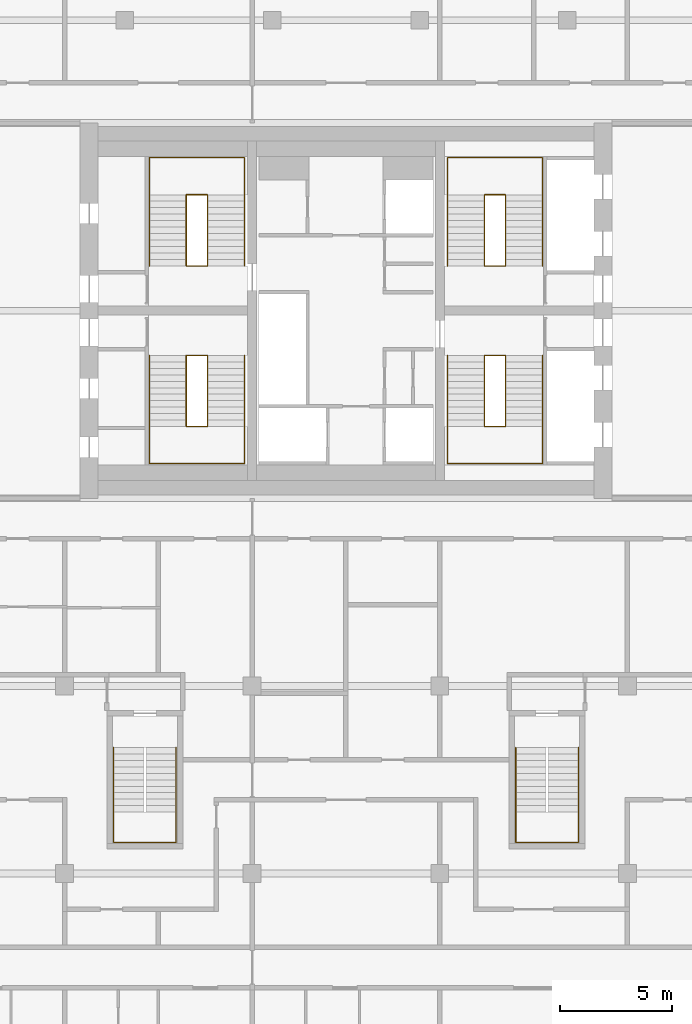
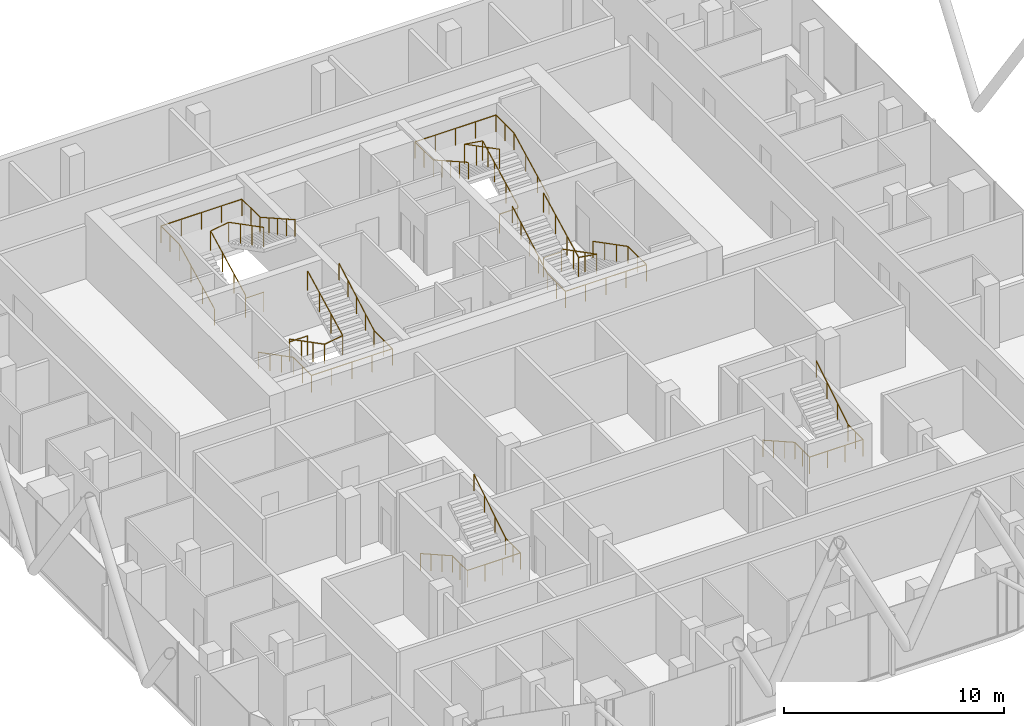
# One storey, part 28 of 28: 10 railings.
"""IFC4 building model written with IfcOpenShell, lengths in metres."""

from ifc_helpers import new_model, si_unit, direction, frame, origin, origin_2d, place, context, subcontext, project, spatial, circle, extrude, material, type_object, element, save


model = new_model("IFC4")

# Units and contexts
model_context = context("Model", 3, precision=1e-05, world=origin(), true_north=direction((0.0, 1.0)))
body_context = subcontext(model_context, "Body", "Model", "MODEL_VIEW")
ifc_project = project(units=[si_unit("LENGTHUNIT", "METRE"), si_unit("AREAUNIT", "SQUARE_METRE"), si_unit("VOLUMEUNIT", "CUBIC_METRE"), si_unit("PLANEANGLEUNIT", "RADIAN"), si_unit("MASSUNIT", "GRAM", prefix="KILO")], contexts=[model_context])

# Site, building, storey
site_placement = place(None, origin())
site = spatial("IfcSite", under=ifc_project, at=site_placement, CompositionType="ELEMENT")
building_placement = place(site_placement, origin())
building = spatial("IfcBuilding", under=site, at=building_placement, Name="Marenta Gate Hotel Tower", CompositionType="ELEMENT")
storey_placement = place(building_placement, frame((0.0, 0.0, 241.699951171875)))
storey = spatial("IfcBuildingStorey", under=building, at=storey_placement, Name="L57", CompositionType="ELEMENT", Elevation=241.699951171875)

# Railings
ifc_material_1 = material(Name="Stainless steel", Category="steel")
railing_type_1 = type_object("IfcRailingType", Name="Core stair handrail 950", PredefinedType="HANDRAIL", material=ifc_material_1)
railing_1_placement = place(storey_placement, frame((-8.800048828125, 6.39990234375, 0.150146484375)))
element("IfcRailing", 1, at=railing_1_placement, inside=storey, type_object=railing_type_1, Name="HR-950 L57-KR-ST1-1", PredefinedType="HANDRAIL", context=body_context, shape_type="SweptSolid", body=[
    extrude(circle(Radius=0.02392578125, at=origin_2d()), frame((0.0, 0.0, 0.92578125), z_axis=(0.0, -0.888225295554, 0.459408123936), x_axis=(1.0, 0.0, 0.0)), (0.0, 0.0, 1.0), 3.59130859375),
    extrude(circle(Radius=0.02392578125, at=origin_2d()), frame((0.0, -3.18994140625, 2.57568359375), z_axis=(0.0, -1.0, 0.0), x_axis=(1.0, 0.0, 0.0)), (0.0, 0.0, 1.0), 1.659912109375),
    extrude(circle(Radius=0.02392578125, at=origin_2d()), frame((0.0, -4.849853515625, 2.57568359375), z_axis=(1.0, 0.0, 0.0), x_axis=(0.0, 1.0, 0.0)), (0.0, 0.0, 1.0), 4.25),
    extrude(circle(Radius=0.02392578125, at=origin_2d()), frame((4.25, -4.849853515625, 2.57568359375), z_axis=(0.0, 1.0, 0.0), x_axis=(-1.0, 0.0, 0.0)), (0.0, 0.0, 1.0), 1.659912109375),
    extrude(circle(Radius=0.02392578125, at=origin_2d()), frame((4.25, -3.18994140625, 2.57568359375), z_axis=(0.0, 0.87090897868, 0.491444351738), x_axis=(-1.0, 0.0, 0.0)), (0.0, 0.0, 1.0), 3.662841796875),
    extrude(circle(Radius=0.02099609375, at=origin_2d()), origin(), (0.0, 0.0, 1.0), 0.90185546875),
    extrude(circle(Radius=0.02099609375, at=origin_2d()), frame((0.0, -1.063232421875, 0.550048828125)), (0.0, 0.0, 1.0), 0.90185546875),
    extrude(circle(Radius=0.02099609375, at=origin_2d()), frame((0.0, -2.126708984375, 1.099853515625)), (0.0, 0.0, 1.0), 0.90185546875),
    extrude(circle(Radius=0.02099609375, at=origin_2d()), frame((0.0, -3.18994140625, 1.64990234375)), (0.0, 0.0, 1.0), 0.90185546875),
    extrude(circle(Radius=0.02099609375, at=origin_2d()), frame((0.0, -4.02001953125, 1.64990234375)), (0.0, 0.0, 1.0), 0.90185546875),
    extrude(circle(Radius=0.02099609375, at=origin_2d()), frame((0.0, -4.849853515625, 1.64990234375)), (0.0, 0.0, 1.0), 0.90185546875),
    extrude(circle(Radius=0.02099609375, at=origin_2d()), frame((1.0625, -4.849853515625, 1.64990234375)), (0.0, 0.0, 1.0), 0.90185546875),
    extrude(circle(Radius=0.02099609375, at=origin_2d()), frame((2.125, -4.849853515625, 1.64990234375)), (0.0, 0.0, 1.0), 0.90185546875),
    extrude(circle(Radius=0.02099609375, at=origin_2d()), frame((3.1875, -4.849853515625, 1.64990234375)), (0.0, 0.0, 1.0), 0.90185546875),
    extrude(circle(Radius=0.02099609375, at=origin_2d()), frame((4.25, -4.849853515625, 1.64990234375)), (0.0, 0.0, 1.0), 0.90185546875),
    extrude(circle(Radius=0.02099609375, at=origin_2d()), frame((4.25, -4.02001953125, 1.64990234375)), (0.0, 0.0, 1.0), 0.90185546875),
    extrude(circle(Radius=0.02099609375, at=origin_2d()), frame((4.25, -3.18994140625, 1.64990234375)), (0.0, 0.0, 1.0), 0.90185546875),
    extrude(circle(Radius=0.02099609375, at=origin_2d()), frame((4.25, -2.392578125, 2.099853515625)), (0.0, 0.0, 1.0), 0.90185546875),
    extrude(circle(Radius=0.02099609375, at=origin_2d()), frame((4.25, -1.594970703125, 2.5498046875)), (0.0, 0.0, 1.0), 0.90185546875),
    extrude(circle(Radius=0.02099609375, at=origin_2d()), frame((4.25, -0.79736328125, 3.0)), (0.0, 0.0, 1.0), 0.90185546875),
    extrude(circle(Radius=0.02099609375, at=origin_2d()), frame((4.25, 0.0, 3.449951171875)), (0.0, 0.0, 1.0), 0.90185546875),
])
railing_2_placement = place(storey_placement, frame((-8.800048828125, 10.39990234375, 0.150146484375)))
element("IfcRailing", 2, at=railing_2_placement, inside=storey, type_object=railing_type_1, Name="HR-950 L57-KR-ST2-1", PredefinedType="HANDRAIL", context=body_context, shape_type="SweptSolid", body=[
    extrude(circle(Radius=0.02392578125, at=origin_2d()), frame((0.0, 0.0, 0.92578125), z_axis=(0.0, 0.888239641807, 0.459380385653), x_axis=(-1.0, 0.0, 0.0)), (0.0, 0.0, 1.0), 3.591552734375),
    extrude(circle(Radius=0.02392578125, at=origin_2d()), frame((0.0, 3.190185546875, 2.57568359375), z_axis=(0.0, 1.0, 0.0), x_axis=(-1.0, 0.0, 0.0)), (0.0, 0.0, 1.0), 1.659912109375),
    extrude(circle(Radius=0.02392578125, at=origin_2d()), frame((0.0, 4.85009765625, 2.57568359375), z_axis=(1.0, 0.0, 0.0), x_axis=(0.0, 1.0, 0.0)), (0.0, 0.0, 1.0), 4.25),
    extrude(circle(Radius=0.02392578125, at=origin_2d()), frame((4.25, 4.85009765625, 2.57568359375), z_axis=(0.0, -1.0, 0.0), x_axis=(1.0, 0.0, 0.0)), (0.0, 0.0, 1.0), 1.659912109375),
    extrude(circle(Radius=0.02392578125, at=origin_2d()), frame((4.25, 3.190185546875, 2.57568359375), z_axis=(0.0, -0.870925075533, 0.491415824742), x_axis=(1.0, 0.0, 0.0)), (0.0, 0.0, 1.0), 3.6630859375),
    extrude(circle(Radius=0.02099609375, at=origin_2d()), origin(), (0.0, 0.0, 1.0), 0.90185546875),
    extrude(circle(Radius=0.02099609375, at=origin_2d()), frame((0.0, 1.0634765625, 0.550048828125)), (0.0, 0.0, 1.0), 0.90185546875),
    extrude(circle(Radius=0.02099609375, at=origin_2d()), frame((0.0, 2.126708984375, 1.099853515625)), (0.0, 0.0, 1.0), 0.90185546875),
    extrude(circle(Radius=0.02099609375, at=origin_2d()), frame((0.0, 3.190185546875, 1.64990234375)), (0.0, 0.0, 1.0), 0.90185546875),
    extrude(circle(Radius=0.02099609375, at=origin_2d()), frame((0.0, 4.02001953125, 1.64990234375)), (0.0, 0.0, 1.0), 0.90185546875),
    extrude(circle(Radius=0.02099609375, at=origin_2d()), frame((0.0, 4.85009765625, 1.64990234375)), (0.0, 0.0, 1.0), 0.90185546875),
    extrude(circle(Radius=0.02099609375, at=origin_2d()), frame((1.0625, 4.85009765625, 1.64990234375)), (0.0, 0.0, 1.0), 0.90185546875),
    extrude(circle(Radius=0.02099609375, at=origin_2d()), frame((2.125, 4.85009765625, 1.64990234375)), (0.0, 0.0, 1.0), 0.90185546875),
    extrude(circle(Radius=0.02099609375, at=origin_2d()), frame((3.1875, 4.85009765625, 1.64990234375)), (0.0, 0.0, 1.0), 0.90185546875),
    extrude(circle(Radius=0.02099609375, at=origin_2d()), frame((4.25, 4.85009765625, 1.64990234375)), (0.0, 0.0, 1.0), 0.90185546875),
    extrude(circle(Radius=0.02099609375, at=origin_2d()), frame((4.25, 4.02001953125, 1.64990234375)), (0.0, 0.0, 1.0), 0.90185546875),
    extrude(circle(Radius=0.02099609375, at=origin_2d()), frame((4.25, 3.190185546875, 1.64990234375)), (0.0, 0.0, 1.0), 0.90185546875),
    extrude(circle(Radius=0.02099609375, at=origin_2d()), frame((4.25, 2.392578125, 2.099853515625)), (0.0, 0.0, 1.0), 0.90185546875),
    extrude(circle(Radius=0.02099609375, at=origin_2d()), frame((4.25, 1.59521484375, 2.5498046875)), (0.0, 0.0, 1.0), 0.90185546875),
    extrude(circle(Radius=0.02099609375, at=origin_2d()), frame((4.25, 0.797607421875, 3.0)), (0.0, 0.0, 1.0), 0.90185546875),
    extrude(circle(Radius=0.02099609375, at=origin_2d()), frame((4.25, 0.0, 3.449951171875)), (0.0, 0.0, 1.0), 0.90185546875),
])
railing_3_placement = place(storey_placement, frame((8.800048828125, 6.39990234375, 0.150146484375)))
element("IfcRailing", 3, at=railing_3_placement, inside=storey, type_object=railing_type_1, Name="HR-950 L57-KR-ST3-1", PredefinedType="HANDRAIL", context=body_context, shape_type="SweptSolid", body=[
    extrude(circle(Radius=0.02392578125, at=origin_2d()), frame((0.0, 0.0, 0.92578125), z_axis=(0.0, -0.888225295554, 0.459408123936), x_axis=(1.0, 0.0, 0.0)), (0.0, 0.0, 1.0), 3.59130859375),
    extrude(circle(Radius=0.02392578125, at=origin_2d()), frame((0.0, -3.18994140625, 2.57568359375), z_axis=(0.0, -1.0, 0.0), x_axis=(1.0, 0.0, 0.0)), (0.0, 0.0, 1.0), 1.659912109375),
    extrude(circle(Radius=0.02392578125, at=origin_2d()), frame((0.0, -4.849853515625, 2.57568359375), z_axis=(-1.0, 0.0, 0.0), x_axis=(0.0, -1.0, 0.0)), (0.0, 0.0, 1.0), 4.25),
    extrude(circle(Radius=0.02392578125, at=origin_2d()), frame((-4.25, -4.849853515625, 2.57568359375), z_axis=(0.0, 1.0, 0.0), x_axis=(-1.0, 0.0, 0.0)), (0.0, 0.0, 1.0), 1.659912109375),
    extrude(circle(Radius=0.02392578125, at=origin_2d()), frame((-4.25, -3.18994140625, 2.57568359375), z_axis=(0.0, 0.87090897868, 0.491444351738), x_axis=(-1.0, 0.0, 0.0)), (0.0, 0.0, 1.0), 3.662841796875),
    extrude(circle(Radius=0.02099609375, at=origin_2d()), origin(), (0.0, 0.0, 1.0), 0.90185546875),
    extrude(circle(Radius=0.02099609375, at=origin_2d()), frame((0.0, -1.063232421875, 0.550048828125)), (0.0, 0.0, 1.0), 0.90185546875),
    extrude(circle(Radius=0.02099609375, at=origin_2d()), frame((0.0, -2.126708984375, 1.099853515625)), (0.0, 0.0, 1.0), 0.90185546875),
    extrude(circle(Radius=0.02099609375, at=origin_2d()), frame((0.0, -3.18994140625, 1.64990234375)), (0.0, 0.0, 1.0), 0.90185546875),
    extrude(circle(Radius=0.02099609375, at=origin_2d()), frame((0.0, -4.02001953125, 1.64990234375)), (0.0, 0.0, 1.0), 0.90185546875),
    extrude(circle(Radius=0.02099609375, at=origin_2d()), frame((0.0, -4.849853515625, 1.64990234375)), (0.0, 0.0, 1.0), 0.90185546875),
    extrude(circle(Radius=0.02099609375, at=origin_2d()), frame((-1.0625, -4.849853515625, 1.64990234375)), (0.0, 0.0, 1.0), 0.90185546875),
    extrude(circle(Radius=0.02099609375, at=origin_2d()), frame((-2.125, -4.849853515625, 1.64990234375)), (0.0, 0.0, 1.0), 0.90185546875),
    extrude(circle(Radius=0.02099609375, at=origin_2d()), frame((-3.1875, -4.849853515625, 1.64990234375)), (0.0, 0.0, 1.0), 0.90185546875),
    extrude(circle(Radius=0.02099609375, at=origin_2d()), frame((-4.25, -4.849853515625, 1.64990234375)), (0.0, 0.0, 1.0), 0.90185546875),
    extrude(circle(Radius=0.02099609375, at=origin_2d()), frame((-4.25, -4.02001953125, 1.64990234375)), (0.0, 0.0, 1.0), 0.90185546875),
    extrude(circle(Radius=0.02099609375, at=origin_2d()), frame((-4.25, -3.18994140625, 1.64990234375)), (0.0, 0.0, 1.0), 0.90185546875),
    extrude(circle(Radius=0.02099609375, at=origin_2d()), frame((-4.25, -2.392578125, 2.099853515625)), (0.0, 0.0, 1.0), 0.90185546875),
    extrude(circle(Radius=0.02099609375, at=origin_2d()), frame((-4.25, -1.594970703125, 2.5498046875)), (0.0, 0.0, 1.0), 0.90185546875),
    extrude(circle(Radius=0.02099609375, at=origin_2d()), frame((-4.25, -0.79736328125, 3.0)), (0.0, 0.0, 1.0), 0.90185546875),
    extrude(circle(Radius=0.02099609375, at=origin_2d()), frame((-4.25, 0.0, 3.449951171875)), (0.0, 0.0, 1.0), 0.90185546875),
])
railing_4_placement = place(storey_placement, frame((8.800048828125, 10.39990234375, 0.150146484375)))
element("IfcRailing", 4, at=railing_4_placement, inside=storey, type_object=railing_type_1, Name="HR-950 L57-KR-ST4-1", PredefinedType="HANDRAIL", context=body_context, shape_type="SweptSolid", body=[
    extrude(circle(Radius=0.02392578125, at=origin_2d()), frame((0.0, 0.0, 0.92578125), z_axis=(0.0, 0.888239641807, 0.459380385653), x_axis=(-1.0, 0.0, 0.0)), (0.0, 0.0, 1.0), 3.591552734375),
    extrude(circle(Radius=0.02392578125, at=origin_2d()), frame((0.0, 3.190185546875, 2.57568359375), z_axis=(0.0, 1.0, 0.0), x_axis=(-1.0, 0.0, 0.0)), (0.0, 0.0, 1.0), 1.659912109375),
    extrude(circle(Radius=0.02392578125, at=origin_2d()), frame((0.0, 4.85009765625, 2.57568359375), z_axis=(-1.0, 0.0, 0.0), x_axis=(0.0, -1.0, 0.0)), (0.0, 0.0, 1.0), 4.25),
    extrude(circle(Radius=0.02392578125, at=origin_2d()), frame((-4.25, 4.85009765625, 2.57568359375), z_axis=(0.0, -1.0, 0.0), x_axis=(1.0, 0.0, 0.0)), (0.0, 0.0, 1.0), 1.659912109375),
    extrude(circle(Radius=0.02392578125, at=origin_2d()), frame((-4.25, 3.190185546875, 2.57568359375), z_axis=(0.0, -0.870925075533, 0.491415824742), x_axis=(1.0, 0.0, 0.0)), (0.0, 0.0, 1.0), 3.6630859375),
    extrude(circle(Radius=0.02099609375, at=origin_2d()), origin(), (0.0, 0.0, 1.0), 0.90185546875),
    extrude(circle(Radius=0.02099609375, at=origin_2d()), frame((0.0, 1.0634765625, 0.550048828125)), (0.0, 0.0, 1.0), 0.90185546875),
    extrude(circle(Radius=0.02099609375, at=origin_2d()), frame((0.0, 2.126708984375, 1.099853515625)), (0.0, 0.0, 1.0), 0.90185546875),
    extrude(circle(Radius=0.02099609375, at=origin_2d()), frame((0.0, 3.190185546875, 1.64990234375)), (0.0, 0.0, 1.0), 0.90185546875),
    extrude(circle(Radius=0.02099609375, at=origin_2d()), frame((0.0, 4.02001953125, 1.64990234375)), (0.0, 0.0, 1.0), 0.90185546875),
    extrude(circle(Radius=0.02099609375, at=origin_2d()), frame((0.0, 4.85009765625, 1.64990234375)), (0.0, 0.0, 1.0), 0.90185546875),
    extrude(circle(Radius=0.02099609375, at=origin_2d()), frame((-1.0625, 4.85009765625, 1.64990234375)), (0.0, 0.0, 1.0), 0.90185546875),
    extrude(circle(Radius=0.02099609375, at=origin_2d()), frame((-2.125, 4.85009765625, 1.64990234375)), (0.0, 0.0, 1.0), 0.90185546875),
    extrude(circle(Radius=0.02099609375, at=origin_2d()), frame((-3.1875, 4.85009765625, 1.64990234375)), (0.0, 0.0, 1.0), 0.90185546875),
    extrude(circle(Radius=0.02099609375, at=origin_2d()), frame((-4.25, 4.85009765625, 1.64990234375)), (0.0, 0.0, 1.0), 0.90185546875),
    extrude(circle(Radius=0.02099609375, at=origin_2d()), frame((-4.25, 4.02001953125, 1.64990234375)), (0.0, 0.0, 1.0), 0.90185546875),
    extrude(circle(Radius=0.02099609375, at=origin_2d()), frame((-4.25, 3.190185546875, 1.64990234375)), (0.0, 0.0, 1.0), 0.90185546875),
    extrude(circle(Radius=0.02099609375, at=origin_2d()), frame((-4.25, 2.392578125, 2.099853515625)), (0.0, 0.0, 1.0), 0.90185546875),
    extrude(circle(Radius=0.02099609375, at=origin_2d()), frame((-4.25, 1.59521484375, 2.5498046875)), (0.0, 0.0, 1.0), 0.90185546875),
    extrude(circle(Radius=0.02099609375, at=origin_2d()), frame((-4.25, 0.797607421875, 3.0)), (0.0, 0.0, 1.0), 0.90185546875),
    extrude(circle(Radius=0.02099609375, at=origin_2d()), frame((-4.25, 0.0, 3.449951171875)), (0.0, 0.0, 1.0), 0.90185546875),
])
railing_5_placement = place(storey_placement, frame((-10.39990234375, -11.14990234375, 0.16357421875)))
element("IfcRailing", 5, at=railing_5_placement, inside=storey, type_object=railing_type_1, Name="HR-950 L57-RS-Z3-1-KR-1", PredefinedType="HANDRAIL", context=body_context, shape_type="SweptSolid", body=[
    extrude(circle(Radius=0.02392578125, at=origin_2d()), frame((0.0, 0.0, 0.92578125), z_axis=(0.0, -0.870914908162, 0.491433843708), x_axis=(1.0, 0.0, 0.0)), (0.0, 0.0, 1.0), 3.330078125),
    extrude(circle(Radius=0.02392578125, at=origin_2d()), frame((0.0, -2.900146484375, 2.5625), z_axis=(0.0, -1.0, 0.0), x_axis=(1.0, 0.0, 0.0)), (0.0, 0.0, 1.0), 1.349853515625),
    extrude(circle(Radius=0.02392578125, at=origin_2d()), frame((0.0, -4.25, 2.5625), z_axis=(1.0, 0.0, 0.0), x_axis=(0.0, 1.0, 0.0)), (0.0, 0.0, 1.0), 2.7998046875),
    extrude(circle(Radius=0.02392578125, at=origin_2d()), frame((2.7998046875, -4.25, 2.5625), z_axis=(0.0, 1.0, 0.0), x_axis=(-1.0, 0.0, 0.0)), (0.0, 0.0, 1.0), 1.349853515625),
    extrude(circle(Radius=0.02392578125, at=origin_2d()), frame((2.7998046875, -2.900146484375, 2.5625), z_axis=(0.0, 0.849645691689, 0.527353959494), x_axis=(-1.0, 0.0, 0.0)), (0.0, 0.0, 1.0), 3.413330078125),
    extrude(circle(Radius=0.02099609375, at=origin_2d()), origin(), (0.0, 0.0, 1.0), 0.90185546875),
    extrude(circle(Radius=0.02099609375, at=origin_2d()), frame((0.0, -0.966796875, 0.54541015625)), (0.0, 0.0, 1.0), 0.90185546875),
    extrude(circle(Radius=0.02099609375, at=origin_2d()), frame((0.0, -1.933349609375, 1.091064453125)), (0.0, 0.0, 1.0), 0.90185546875),
    extrude(circle(Radius=0.02099609375, at=origin_2d()), frame((0.0, -2.900146484375, 1.636474609375)), (0.0, 0.0, 1.0), 0.90185546875),
    extrude(circle(Radius=0.02099609375, at=origin_2d()), frame((0.0, -3.5751953125, 1.636474609375)), (0.0, 0.0, 1.0), 0.90185546875),
    extrude(circle(Radius=0.02099609375, at=origin_2d()), frame((0.0, -4.25, 1.636474609375)), (0.0, 0.0, 1.0), 0.90185546875),
    extrude(circle(Radius=0.02099609375, at=origin_2d()), frame((0.933349609375, -4.25, 1.636474609375)), (0.0, 0.0, 1.0), 0.90185546875),
    extrude(circle(Radius=0.02099609375, at=origin_2d()), frame((1.866455078125, -4.25, 1.636474609375)), (0.0, 0.0, 1.0), 0.90185546875),
    extrude(circle(Radius=0.02099609375, at=origin_2d()), frame((2.7998046875, -4.25, 1.636474609375)), (0.0, 0.0, 1.0), 0.90185546875),
    extrude(circle(Radius=0.02099609375, at=origin_2d()), frame((2.7998046875, -3.5751953125, 1.636474609375)), (0.0, 0.0, 1.0), 0.90185546875),
    extrude(circle(Radius=0.02099609375, at=origin_2d()), frame((2.7998046875, -2.900146484375, 1.636474609375)), (0.0, 0.0, 1.0), 0.90185546875),
    extrude(circle(Radius=0.02099609375, at=origin_2d()), frame((2.7998046875, -1.933349609375, 2.236572265625)), (0.0, 0.0, 1.0), 0.90185546875),
    extrude(circle(Radius=0.02099609375, at=origin_2d()), frame((2.7998046875, -0.966796875, 2.83642578125)), (0.0, 0.0, 1.0), 0.90185546875),
    extrude(circle(Radius=0.02099609375, at=origin_2d()), frame((2.7998046875, 0.0, 3.4365234375)), (0.0, 0.0, 1.0), 0.90185546875),
])
railing_6_placement = place(storey_placement, frame((7.60009765625, -11.14990234375, 0.16357421875)))
element("IfcRailing", 6, at=railing_6_placement, inside=storey, type_object=railing_type_1, Name="HR-950 L57-RS-Z3-2-KR-1", PredefinedType="HANDRAIL", context=body_context, shape_type="SweptSolid", body=[
    extrude(circle(Radius=0.02392578125, at=origin_2d()), frame((0.0, 0.0, 0.92578125), z_axis=(0.0, -0.870914908162, 0.491433843708), x_axis=(1.0, 0.0, 0.0)), (0.0, 0.0, 1.0), 3.330078125),
    extrude(circle(Radius=0.02392578125, at=origin_2d()), frame((0.0, -2.900146484375, 2.5625), z_axis=(0.0, -1.0, 0.0), x_axis=(1.0, 0.0, 0.0)), (0.0, 0.0, 1.0), 1.349853515625),
    extrude(circle(Radius=0.02392578125, at=origin_2d()), frame((0.0, -4.25, 2.5625), z_axis=(1.0, 0.0, 0.0), x_axis=(0.0, 1.0, 0.0)), (0.0, 0.0, 1.0), 2.7998046875),
    extrude(circle(Radius=0.02392578125, at=origin_2d()), frame((2.7998046875, -4.25, 2.5625), z_axis=(0.0, 1.0, 0.0), x_axis=(-1.0, 0.0, 0.0)), (0.0, 0.0, 1.0), 1.349853515625),
    extrude(circle(Radius=0.02392578125, at=origin_2d()), frame((2.7998046875, -2.900146484375, 2.5625), z_axis=(0.0, 0.849645691689, 0.527353959494), x_axis=(-1.0, 0.0, 0.0)), (0.0, 0.0, 1.0), 3.413330078125),
    extrude(circle(Radius=0.02099609375, at=origin_2d()), origin(), (0.0, 0.0, 1.0), 0.90185546875),
    extrude(circle(Radius=0.02099609375, at=origin_2d()), frame((0.0, -0.966796875, 0.54541015625)), (0.0, 0.0, 1.0), 0.90185546875),
    extrude(circle(Radius=0.02099609375, at=origin_2d()), frame((0.0, -1.933349609375, 1.091064453125)), (0.0, 0.0, 1.0), 0.90185546875),
    extrude(circle(Radius=0.02099609375, at=origin_2d()), frame((0.0, -2.900146484375, 1.636474609375)), (0.0, 0.0, 1.0), 0.90185546875),
    extrude(circle(Radius=0.02099609375, at=origin_2d()), frame((0.0, -3.5751953125, 1.636474609375)), (0.0, 0.0, 1.0), 0.90185546875),
    extrude(circle(Radius=0.02099609375, at=origin_2d()), frame((0.0, -4.25, 1.636474609375)), (0.0, 0.0, 1.0), 0.90185546875),
    extrude(circle(Radius=0.02099609375, at=origin_2d()), frame((0.933349609375, -4.25, 1.636474609375)), (0.0, 0.0, 1.0), 0.90185546875),
    extrude(circle(Radius=0.02099609375, at=origin_2d()), frame((1.866455078125, -4.25, 1.636474609375)), (0.0, 0.0, 1.0), 0.90185546875),
    extrude(circle(Radius=0.02099609375, at=origin_2d()), frame((2.7998046875, -4.25, 1.636474609375)), (0.0, 0.0, 1.0), 0.90185546875),
    extrude(circle(Radius=0.02099609375, at=origin_2d()), frame((2.7998046875, -3.5751953125, 1.636474609375)), (0.0, 0.0, 1.0), 0.90185546875),
    extrude(circle(Radius=0.02099609375, at=origin_2d()), frame((2.7998046875, -2.900146484375, 1.636474609375)), (0.0, 0.0, 1.0), 0.90185546875),
    extrude(circle(Radius=0.02099609375, at=origin_2d()), frame((2.7998046875, -1.933349609375, 2.236572265625)), (0.0, 0.0, 1.0), 0.90185546875),
    extrude(circle(Radius=0.02099609375, at=origin_2d()), frame((2.7998046875, -0.966796875, 2.83642578125)), (0.0, 0.0, 1.0), 0.90185546875),
    extrude(circle(Radius=0.02099609375, at=origin_2d()), frame((2.7998046875, 0.0, 3.4365234375)), (0.0, 0.0, 1.0), 0.90185546875),
])
ifc_material_2 = material(Name="Stainless steel", Category="steel")
railing_type_2 = type_object("IfcRailingType", Name="Core stair well guard 1100", PredefinedType="GUARDRAIL", material=ifc_material_2)
railing_7_placement = place(storey_placement, frame((-6.199951171875, 6.39990234375, 0.0)))
element("IfcRailing", 7, at=railing_7_placement, inside=storey, type_object=railing_type_2, Name="GR-1100 L57-KR-ST1-2", PredefinedType="GUARDRAIL", context=body_context, shape_type="SweptSolid", body=[
    extrude(circle(Radius=0.02392578125, at=origin_2d()), frame((0.0, 0.0, 1.076171875), z_axis=(-1.0, 0.0, 0.0), x_axis=(0.0, -1.0, 0.0)), (0.0, 0.0, 1.0), 0.949951171875),
    extrude(circle(Radius=0.02392578125, at=origin_2d()), frame((-0.949951171875, 0.0, 1.076171875), z_axis=(0.0, 0.0, 1.0), x_axis=(1.0, 0.0, 0.0)), (0.0, 0.0, 1.0), 0.150146484375),
    extrude(circle(Radius=0.02392578125, at=origin_2d()), frame((-0.949951171875, 0.0, 1.22607421875), z_axis=(0.0, -0.888225295554, 0.459408123936), x_axis=(1.0, 0.0, 0.0)), (0.0, 0.0, 1.0), 3.59130859375),
    extrude(circle(Radius=0.02392578125, at=origin_2d()), frame((-0.949951171875, -3.18994140625, 2.8759765625), z_axis=(0.987777369502, 0.0, 0.15587131968), x_axis=(0.0, 1.0, 0.0)), (0.0, 0.0, 1.0), 0.961669921875),
    extrude(circle(Radius=0.02392578125, at=origin_2d()), frame((0.0, -3.18994140625, 3.02587890625), z_axis=(0.0, 0.888197555067, 0.459461753765), x_axis=(-1.0, 0.0, 0.0)), (0.0, 0.0, 1.0), 3.591552734375),
    extrude(circle(Radius=0.02099609375, at=origin_2d()), origin(), (0.0, 0.0, 1.0), 1.052001953125),
    extrude(circle(Radius=0.02099609375, at=origin_2d()), frame((-0.949951171875, 0.0, 0.0)), (0.0, 0.0, 1.0), 1.052001953125),
    extrude(circle(Radius=0.02099609375, at=origin_2d()), frame((-0.949951171875, 0.0, 0.150146484375)), (0.0, 0.0, 1.0), 1.052001953125),
    extrude(circle(Radius=0.02099609375, at=origin_2d()), frame((-0.949951171875, -1.063232421875, 0.7001953125)), (0.0, 0.0, 1.0), 1.052001953125),
    extrude(circle(Radius=0.02099609375, at=origin_2d()), frame((-0.949951171875, -2.126708984375, 1.25)), (0.0, 0.0, 1.0), 1.052001953125),
    extrude(circle(Radius=0.02099609375, at=origin_2d()), frame((-0.949951171875, -3.18994140625, 1.800048828125)), (0.0, 0.0, 1.0), 1.052001953125),
    extrude(circle(Radius=0.02099609375, at=origin_2d()), frame((0.0, -3.18994140625, 1.949951171875)), (0.0, 0.0, 1.0), 1.052001953125),
    extrude(circle(Radius=0.02099609375, at=origin_2d()), frame((0.0, -2.126708984375, 2.5)), (0.0, 0.0, 1.0), 1.052001953125),
    extrude(circle(Radius=0.02099609375, at=origin_2d()), frame((0.0, -1.063232421875, 3.050048828125)), (0.0, 0.0, 1.0), 1.052001953125),
    extrude(circle(Radius=0.02099609375, at=origin_2d()), frame((0.0, 0.0, 3.60009765625)), (0.0, 0.0, 1.0), 1.052001953125),
])
railing_8_placement = place(storey_placement, frame((-6.199951171875, 10.39990234375, 0.0)))
element("IfcRailing", 8, at=railing_8_placement, inside=storey, type_object=railing_type_2, Name="GR-1100 L57-KR-ST2-2", PredefinedType="GUARDRAIL", context=body_context, shape_type="SweptSolid", body=[
    extrude(circle(Radius=0.02392578125, at=origin_2d()), frame((0.0, 0.0, 1.076171875), z_axis=(-1.0, 0.0, 0.0), x_axis=(0.0, -1.0, 0.0)), (0.0, 0.0, 1.0), 0.949951171875),
    extrude(circle(Radius=0.02392578125, at=origin_2d()), frame((-0.949951171875, 0.0, 1.076171875), z_axis=(0.0, 0.0, 1.0), x_axis=(1.0, 0.0, 0.0)), (0.0, 0.0, 1.0), 0.150146484375),
    extrude(circle(Radius=0.02392578125, at=origin_2d()), frame((-0.949951171875, 0.0, 1.22607421875), z_axis=(0.0, 0.888239641807, 0.459380385653), x_axis=(-1.0, 0.0, 0.0)), (0.0, 0.0, 1.0), 3.591552734375),
    extrude(circle(Radius=0.02392578125, at=origin_2d()), frame((-0.949951171875, 3.190185546875, 2.8759765625), z_axis=(0.987777369502, 0.0, 0.15587131968), x_axis=(0.0, 1.0, 0.0)), (0.0, 0.0, 1.0), 0.961669921875),
    extrude(circle(Radius=0.02392578125, at=origin_2d()), frame((0.0, 3.190185546875, 3.02587890625), z_axis=(0.0, -0.888211904222, 0.459434013977), x_axis=(1.0, 0.0, 0.0)), (0.0, 0.0, 1.0), 3.591796875),
    extrude(circle(Radius=0.02099609375, at=origin_2d()), origin(), (0.0, 0.0, 1.0), 1.052001953125),
    extrude(circle(Radius=0.02099609375, at=origin_2d()), frame((-0.949951171875, 0.0, 0.0)), (0.0, 0.0, 1.0), 1.052001953125),
    extrude(circle(Radius=0.02099609375, at=origin_2d()), frame((-0.949951171875, 0.0, 0.150146484375)), (0.0, 0.0, 1.0), 1.052001953125),
    extrude(circle(Radius=0.02099609375, at=origin_2d()), frame((-0.949951171875, 1.0634765625, 0.7001953125)), (0.0, 0.0, 1.0), 1.052001953125),
    extrude(circle(Radius=0.02099609375, at=origin_2d()), frame((-0.949951171875, 2.126708984375, 1.25)), (0.0, 0.0, 1.0), 1.052001953125),
    extrude(circle(Radius=0.02099609375, at=origin_2d()), frame((-0.949951171875, 3.190185546875, 1.800048828125)), (0.0, 0.0, 1.0), 1.052001953125),
    extrude(circle(Radius=0.02099609375, at=origin_2d()), frame((0.0, 3.190185546875, 1.949951171875)), (0.0, 0.0, 1.0), 1.052001953125),
    extrude(circle(Radius=0.02099609375, at=origin_2d()), frame((0.0, 2.126708984375, 2.5)), (0.0, 0.0, 1.0), 1.052001953125),
    extrude(circle(Radius=0.02099609375, at=origin_2d()), frame((0.0, 1.0634765625, 3.050048828125)), (0.0, 0.0, 1.0), 1.052001953125),
    extrude(circle(Radius=0.02099609375, at=origin_2d()), frame((0.0, 0.0, 3.60009765625)), (0.0, 0.0, 1.0), 1.052001953125),
])
railing_9_placement = place(storey_placement, frame((6.199951171875, 6.39990234375, 0.0)))
element("IfcRailing", 9, at=railing_9_placement, inside=storey, type_object=railing_type_2, Name="GR-1100 L57-KR-ST3-2", PredefinedType="GUARDRAIL", context=body_context, shape_type="SweptSolid", body=[
    extrude(circle(Radius=0.02392578125, at=origin_2d()), frame((0.0, 0.0, 1.076171875), z_axis=(1.0, 0.0, 0.0), x_axis=(0.0, 1.0, 0.0)), (0.0, 0.0, 1.0), 0.949951171875),
    extrude(circle(Radius=0.02392578125, at=origin_2d()), frame((0.949951171875, 0.0, 1.076171875), z_axis=(0.0, 0.0, 1.0), x_axis=(1.0, 0.0, 0.0)), (0.0, 0.0, 1.0), 0.150146484375),
    extrude(circle(Radius=0.02392578125, at=origin_2d()), frame((0.949951171875, 0.0, 1.22607421875), z_axis=(0.0, -0.888225295554, 0.459408123936), x_axis=(1.0, 0.0, 0.0)), (0.0, 0.0, 1.0), 3.59130859375),
    extrude(circle(Radius=0.02392578125, at=origin_2d()), frame((0.949951171875, -3.18994140625, 2.8759765625), z_axis=(-0.987777369502, 0.0, 0.15587131968), x_axis=(0.0, -1.0, 0.0)), (0.0, 0.0, 1.0), 0.961669921875),
    extrude(circle(Radius=0.02392578125, at=origin_2d()), frame((0.0, -3.18994140625, 3.02587890625), z_axis=(0.0, 0.888197555067, 0.459461753765), x_axis=(-1.0, 0.0, 0.0)), (0.0, 0.0, 1.0), 3.591552734375),
    extrude(circle(Radius=0.02099609375, at=origin_2d()), origin(), (0.0, 0.0, 1.0), 1.052001953125),
    extrude(circle(Radius=0.02099609375, at=origin_2d()), frame((0.949951171875, 0.0, 0.0)), (0.0, 0.0, 1.0), 1.052001953125),
    extrude(circle(Radius=0.02099609375, at=origin_2d()), frame((0.949951171875, 0.0, 0.150146484375)), (0.0, 0.0, 1.0), 1.052001953125),
    extrude(circle(Radius=0.02099609375, at=origin_2d()), frame((0.949951171875, -1.063232421875, 0.7001953125)), (0.0, 0.0, 1.0), 1.052001953125),
    extrude(circle(Radius=0.02099609375, at=origin_2d()), frame((0.949951171875, -2.126708984375, 1.25)), (0.0, 0.0, 1.0), 1.052001953125),
    extrude(circle(Radius=0.02099609375, at=origin_2d()), frame((0.949951171875, -3.18994140625, 1.800048828125)), (0.0, 0.0, 1.0), 1.052001953125),
    extrude(circle(Radius=0.02099609375, at=origin_2d()), frame((0.0, -3.18994140625, 1.949951171875)), (0.0, 0.0, 1.0), 1.052001953125),
    extrude(circle(Radius=0.02099609375, at=origin_2d()), frame((0.0, -2.126708984375, 2.5)), (0.0, 0.0, 1.0), 1.052001953125),
    extrude(circle(Radius=0.02099609375, at=origin_2d()), frame((0.0, -1.063232421875, 3.050048828125)), (0.0, 0.0, 1.0), 1.052001953125),
    extrude(circle(Radius=0.02099609375, at=origin_2d()), frame((0.0, 0.0, 3.60009765625)), (0.0, 0.0, 1.0), 1.052001953125),
])
railing_10_placement = place(storey_placement, frame((6.199951171875, 10.39990234375, 0.0)))
element("IfcRailing", 10, at=railing_10_placement, inside=storey, type_object=railing_type_2, Name="GR-1100 L57-KR-ST4-2", PredefinedType="GUARDRAIL", context=body_context, shape_type="SweptSolid", body=[
    extrude(circle(Radius=0.02392578125, at=origin_2d()), frame((0.0, 0.0, 1.076171875), z_axis=(1.0, 0.0, 0.0), x_axis=(0.0, 1.0, 0.0)), (0.0, 0.0, 1.0), 0.949951171875),
    extrude(circle(Radius=0.02392578125, at=origin_2d()), frame((0.949951171875, 0.0, 1.076171875), z_axis=(0.0, 0.0, 1.0), x_axis=(1.0, 0.0, 0.0)), (0.0, 0.0, 1.0), 0.150146484375),
    extrude(circle(Radius=0.02392578125, at=origin_2d()), frame((0.949951171875, 0.0, 1.22607421875), z_axis=(0.0, 0.888239641807, 0.459380385653), x_axis=(-1.0, 0.0, 0.0)), (0.0, 0.0, 1.0), 3.591552734375),
    extrude(circle(Radius=0.02392578125, at=origin_2d()), frame((0.949951171875, 3.190185546875, 2.8759765625), z_axis=(-0.987777369502, 0.0, 0.15587131968), x_axis=(0.0, -1.0, 0.0)), (0.0, 0.0, 1.0), 0.961669921875),
    extrude(circle(Radius=0.02392578125, at=origin_2d()), frame((0.0, 3.190185546875, 3.02587890625), z_axis=(0.0, -0.888211904222, 0.459434013977), x_axis=(1.0, 0.0, 0.0)), (0.0, 0.0, 1.0), 3.591796875),
    extrude(circle(Radius=0.02099609375, at=origin_2d()), origin(), (0.0, 0.0, 1.0), 1.052001953125),
    extrude(circle(Radius=0.02099609375, at=origin_2d()), frame((0.949951171875, 0.0, 0.0)), (0.0, 0.0, 1.0), 1.052001953125),
    extrude(circle(Radius=0.02099609375, at=origin_2d()), frame((0.949951171875, 0.0, 0.150146484375)), (0.0, 0.0, 1.0), 1.052001953125),
    extrude(circle(Radius=0.02099609375, at=origin_2d()), frame((0.949951171875, 1.0634765625, 0.7001953125)), (0.0, 0.0, 1.0), 1.052001953125),
    extrude(circle(Radius=0.02099609375, at=origin_2d()), frame((0.949951171875, 2.126708984375, 1.25)), (0.0, 0.0, 1.0), 1.052001953125),
    extrude(circle(Radius=0.02099609375, at=origin_2d()), frame((0.949951171875, 3.190185546875, 1.800048828125)), (0.0, 0.0, 1.0), 1.052001953125),
    extrude(circle(Radius=0.02099609375, at=origin_2d()), frame((0.0, 3.190185546875, 1.949951171875)), (0.0, 0.0, 1.0), 1.052001953125),
    extrude(circle(Radius=0.02099609375, at=origin_2d()), frame((0.0, 2.126708984375, 2.5)), (0.0, 0.0, 1.0), 1.052001953125),
    extrude(circle(Radius=0.02099609375, at=origin_2d()), frame((0.0, 1.0634765625, 3.050048828125)), (0.0, 0.0, 1.0), 1.052001953125),
    extrude(circle(Radius=0.02099609375, at=origin_2d()), frame((0.0, 0.0, 3.60009765625)), (0.0, 0.0, 1.0), 1.052001953125),
])

save(model, "model.ifc")
